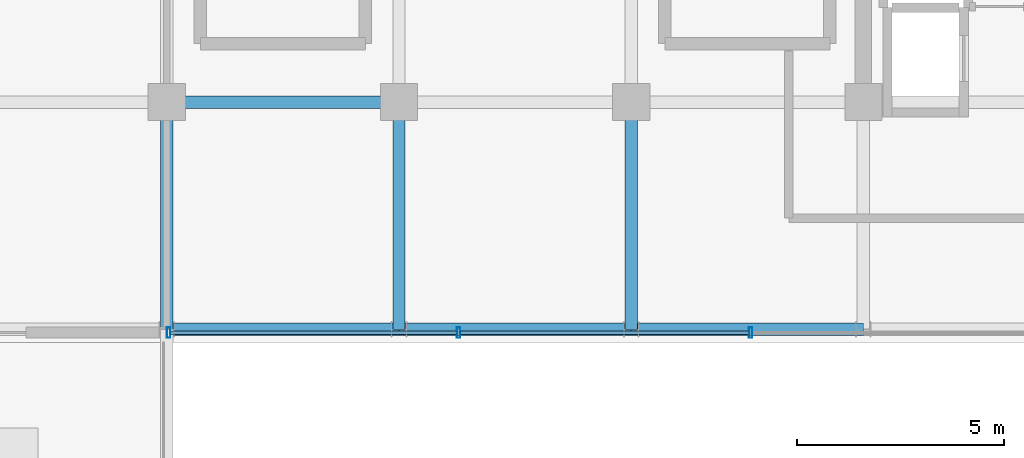
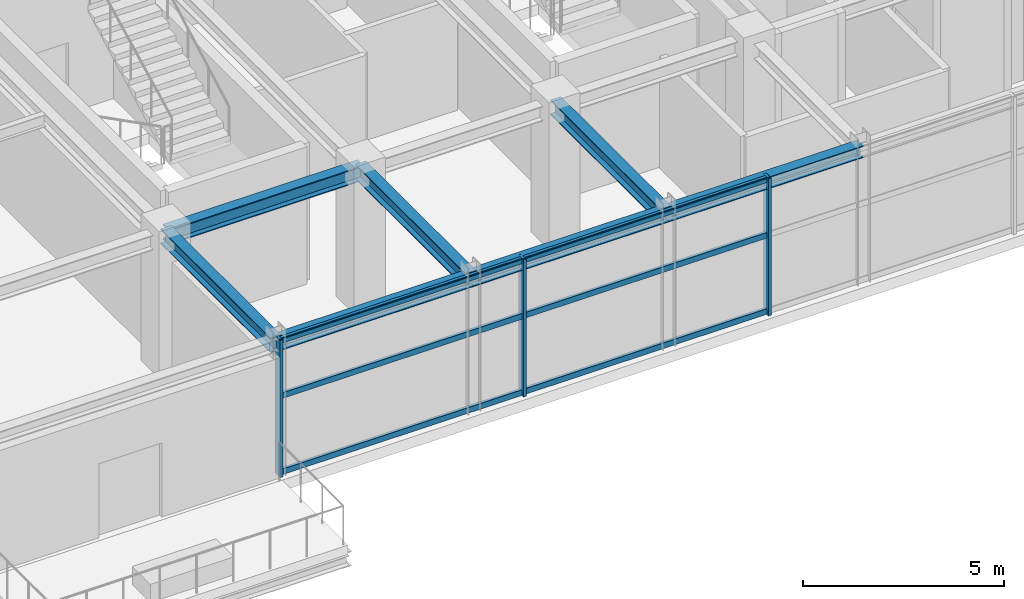
# One storey, part 6 of 25: 9 members, 7 beams, 1 element without a shape of its own.
"""IFC4 building model written with IfcOpenShell, lengths in metres."""

import ifcopenshell
import ifcopenshell.guid

model = None  # the IFC model being written
_history = None  # IfcOwnerHistory: only IFC2X3 demands one
_inside = {}  # id of a spatial element -> (the spatial element, [elements in it])
_under = {}  # id of a project, library or spatial element -> (it, [spatial elements below it])
_declared = {}  # id of a project -> (the project, [libraries it declares])
_typed = {}  # id of a type object -> (the type object, [elements of that type])
_made_of = {}  # id of a material, layer set ... -> (it, [elements and type objects made of it])


def new_model(schema):
    """Start an empty IFC model of exactly this schema.

    Asked for "IFC4X3", IfcOpenShell would pick the latest addendum, in which some entities
    have other attributes; the version numbers below select the first issue.
    IFC2X3 requires an IfcOwnerHistory on every rooted entity: one is made here for all.
    """
    global model, _history
    if schema == "IFC4X3":
        model = ifcopenshell.file(schema_version=(4, 3, 0, 0))
    else:
        model = ifcopenshell.file(schema=schema)
    _inside.clear()
    _under.clear()
    _declared.clear()
    _typed.clear()
    _made_of.clear()
    _history = None
    if model.schema == "IFC2X3":
        org = make("IfcOrganization", Name="unknown")
        user = make(
            "IfcPersonAndOrganization",
            ThePerson=make("IfcPerson", FamilyName="unknown"),
            TheOrganization=org,
        )
        app = make(
            "IfcApplication",
            ApplicationDeveloper=org,
            Version="unknown",
            ApplicationFullName="unknown",
            ApplicationIdentifier="unknown",
        )
        _history = make(
            "IfcOwnerHistory",
            OwningUser=user,
            OwningApplication=app,
            ChangeAction="ADDED",
            CreationDate=0,
        )
    return model


def make(cls, **values):
    """One entity of the class cls with the attributes given. An attribute that is None is left unset."""
    return model.create_entity(
        cls, **{name: value for name, value in values.items() if value is not None}
    )


def rooted(cls, **values):
    """An entity with a GlobalId (a new one), such as an element, a storey or a relation."""
    return make(cls, GlobalId=ifcopenshell.guid.new(), OwnerHistory=_history, **values)


def si_unit(unit_type, name, prefix=None):
    """IfcSIUnit, for example si_unit("LENGTHUNIT", "METRE", prefix="MILLI")."""
    return make("IfcSIUnit", UnitType=unit_type, Prefix=prefix, Name=name)


def assignment(units):
    """IfcUnitAssignment: the units of a project."""
    return None if units is None else make("IfcUnitAssignment", Units=units)


def point(xyz):
    """IfcCartesianPoint."""
    return None if xyz is None else make("IfcCartesianPoint", Coordinates=xyz)


def direction(xyz):
    """IfcDirection."""
    return None if xyz is None else make("IfcDirection", DirectionRatios=xyz)


def frame(location, z_axis=None, x_axis=None):
    """IfcAxis2Placement3D, a coordinate frame: its origin and axes. An axis left out is left unset."""
    return make(
        "IfcAxis2Placement3D",
        Location=point(location),
        Axis=direction(z_axis),
        RefDirection=direction(x_axis),
    )


def frame_2d(location, x_axis=None):
    """IfcAxis2Placement2D, a coordinate frame in the plane: its origin and x axis."""
    return make(
        "IfcAxis2Placement2D", Location=point(location), RefDirection=direction(x_axis)
    )


def origin():
    """The frame at (0, 0, 0) with its axes left unset."""
    return frame((0.0, 0.0, 0.0))


def origin_2d():
    """The frame at (0, 0) in the plane with its x axis left unset."""
    return frame_2d((0.0, 0.0))


def place(relative_to, where):
    """IfcLocalPlacement: puts the frame where relative to a parent placement (None: the world)."""
    return make(
        "IfcLocalPlacement", PlacementRelTo=relative_to, RelativePlacement=where
    )


def context(
    kind, dimensions, precision=None, world=None, true_north=None, identifier=None
):
    """IfcGeometricRepresentationContext, for example the 3D "Model" context."""
    return make(
        "IfcGeometricRepresentationContext",
        ContextIdentifier=identifier,
        ContextType=kind,
        CoordinateSpaceDimension=dimensions,
        Precision=precision,
        WorldCoordinateSystem=world,
        TrueNorth=true_north,
    )


def subcontext(parent, identifier, kind, view, scale=None):
    """IfcGeometricRepresentationSubContext, for example "Body" below "Model"."""
    return make(
        "IfcGeometricRepresentationSubContext",
        ContextIdentifier=identifier,
        ContextType=kind,
        ParentContext=parent,
        TargetScale=scale,
        TargetView=view,
    )


def project(units=None, contexts=None):
    """IfcProject with its units and contexts."""
    return rooted(
        "IfcProject",
        Name="project",
        RepresentationContexts=contexts,
        UnitsInContext=assignment(units),
    )


def spatial(cls, under=None, at=None, **own):
    """A site, building, storey or space (cls), placed at a placement, below another one or the project."""
    s = rooted(cls, ObjectPlacement=at, **own)
    if under is not None:
        _under.setdefault(under.id(), (under, []))[1].append(s)
    return s


def profile(cls, at=None, kind="AREA", **sizes):
    """A parametric profile (cls). Its sizes go by their IFC names, for example OverallWidth=200.0."""
    return make(cls, ProfileType=kind, Position=at, **sizes)


def hollow_rectangle(**sizes):
    """IfcRectangleHollowProfileDef."""
    return profile("IfcRectangleHollowProfileDef", **sizes)


def i_section(**sizes):
    """IfcIShapeProfileDef."""
    return profile("IfcIShapeProfileDef", **sizes)


def extrude(swept, where, along, depth):
    """IfcExtrudedAreaSolid: the profile swept, set in the frame where, extruded along a direction by depth."""
    return make(
        "IfcExtrudedAreaSolid",
        SweptArea=swept,
        Position=where,
        ExtrudedDirection=direction(along),
        Depth=depth,
    )


def shape(context_of_items, identifier, shape_type, items):
    """IfcShapeRepresentation: the items that make up one representation, for example the "Body"."""
    return make(
        "IfcShapeRepresentation",
        ContextOfItems=context_of_items,
        RepresentationIdentifier=identifier,
        RepresentationType=shape_type,
        Items=items,
    )


def source(mapping_origin, context_of_items, identifier, shape_type, items):
    """IfcRepresentationMap: a shape defined once, which mapped items show again and again."""
    return make(
        "IfcRepresentationMap",
        MappingOrigin=mapping_origin,
        MappedRepresentation=shape(context_of_items, identifier, shape_type, items),
    )


def transform(
    local_origin,
    x_axis=None,
    y_axis=None,
    z_axis=None,
    scale=None,
    scale2=None,
    scale3=None,
    uniform=True,
):
    """IfcCartesianTransformationOperator3D, or its non-uniform kind. x_axis, y_axis, z_axis: its Axis1, 2, 3."""
    if uniform:
        return make(
            "IfcCartesianTransformationOperator3D",
            Axis1=direction(x_axis),
            Axis2=direction(y_axis),
            LocalOrigin=point(local_origin),
            Scale=scale,
            Axis3=direction(z_axis),
        )
    return make(
        "IfcCartesianTransformationOperator3DnonUniform",
        Axis1=direction(x_axis),
        Axis2=direction(y_axis),
        LocalOrigin=point(local_origin),
        Scale=scale,
        Axis3=direction(z_axis),
        Scale2=scale2,
        Scale3=scale3,
    )


def mapped(mapping_source, mapping_target):
    """IfcMappedItem: shows the shape of a source again, moved by a transform."""
    return make(
        "IfcMappedItem", MappingSource=mapping_source, MappingTarget=mapping_target
    )


def material(Name=None, Category=None):
    """IfcMaterial."""
    return make("IfcMaterial", Name=Name, Category=Category)


def material_profile(
    of_material, cross_section, Name=None, Category=None, Priority=None
):
    """IfcMaterialProfile: a cross section and its material."""
    return make(
        "IfcMaterialProfile",
        Name=Name,
        Material=of_material,
        Profile=cross_section,
        Priority=Priority,
        Category=Category,
    )


def profile_set(profiles, Name=None, composite=None):
    """IfcMaterialProfileSet."""
    return make(
        "IfcMaterialProfileSet",
        Name=Name,
        MaterialProfiles=profiles,
        CompositeProfile=composite,
    )


def made_of(thing, what):
    """Note that an element or type object is made of a material, layer set ...; save() writes the relation."""
    if what is not None:
        _made_of.setdefault(what.id(), (what, []))[1].append(thing)
    return thing


def type_object(cls, material=None, **own):
    """A type object (cls), such as IfcWallType, which elements share."""
    return made_of(rooted(cls, **own), material)


def element(
    cls,
    number,
    at=None,
    inside=None,
    cuts=None,
    type_object=None,
    material=None,
    context=None,
    identifier="Body",
    shape_type=None,
    held_by="IfcProductDefinitionShape",
    body=None,
    shapes=None,
    **own,
):
    """One element of the class cls, such as IfcWall. Its Tag is "e" and its number.

    at: its placement. inside: the storey or other place that contains it. cuts: it is an
    opening in that element (IfcRelVoidsElement). A single representation is given by context,
    identifier, shape_type and body (its items); several are given by shapes. held_by: the class
    of the entity that holds the representations. save() writes the other relations.
    """
    e = rooted(cls, Tag="e%d" % number, ObjectPlacement=at, **own)
    if body is not None:
        shapes = [shape(context, identifier, shape_type, body)]
    if shapes is not None:
        e.Representation = make(held_by, Representations=shapes)
    if inside is not None:
        _inside.setdefault(inside.id(), (inside, []))[1].append(e)
    if cuts is not None:
        rooted(
            "IfcRelVoidsElement", RelatingBuildingElement=cuts, RelatedOpeningElement=e
        )
    if type_object is not None:
        _typed.setdefault(type_object.id(), (type_object, []))[1].append(e)
    return made_of(e, material)


def aggregate(whole, parts):
    """IfcRelAggregates: a whole, such as a stair, and the parts it consists of."""
    return rooted("IfcRelAggregates", RelatingObject=whole, RelatedObjects=parts)


def save(model, path):
    """Write the relations noted so far, then the file.

    IfcRelAggregates (storeys below a building ...), IfcRelContainedInSpatialStructure (elements
    in a storey), IfcRelDefinesByType, IfcRelAssociatesMaterial and IfcRelDeclares: one each for
    every whole, place, type object, material and project.
    """
    for whole, parts in _under.values():
        aggregate(whole, parts)
    for where, things in _inside.values():
        rooted(
            "IfcRelContainedInSpatialStructure",
            RelatedElements=things,
            RelatingStructure=where,
        )
    for kind, things in _typed.values():
        rooted("IfcRelDefinesByType", RelatedObjects=things, RelatingType=kind)
    for what, things in _made_of.values():
        rooted("IfcRelAssociatesMaterial", RelatedObjects=things, RelatingMaterial=what)
    for by, libraries in _declared.values():
        rooted("IfcRelDeclares", RelatingContext=by, RelatedDefinitions=libraries)
    model.write(path)


model = new_model("IFC4")

# Units and contexts
model_context = context("Model", 3, precision=1e-05, world=origin(), true_north=direction((0.0, 1.0)))
body_context = subcontext(model_context, "Body", "Model", "MODEL_VIEW")
ifc_project = project(units=[si_unit("LENGTHUNIT", "METRE"), si_unit("AREAUNIT", "SQUARE_METRE"), si_unit("VOLUMEUNIT", "CUBIC_METRE"), si_unit("PLANEANGLEUNIT", "RADIAN"), si_unit("MASSUNIT", "GRAM", prefix="KILO")], contexts=[model_context])

# Site, building, storey
site_placement = place(None, origin())
site = spatial("IfcSite", under=ifc_project, at=site_placement, CompositionType="ELEMENT")
building_placement = place(site_placement, origin())
building = spatial("IfcBuilding", under=site, at=building_placement, Name="Nahalor Promenade Grand Hotel", CompositionType="ELEMENT")
storey_placement = place(building_placement, frame((0.0, 0.0, 338.550048828125)))
storey = spatial("IfcBuildingStorey", under=building, at=storey_placement, Name="L87", CompositionType="ELEMENT", Elevation=338.550048828125)

# Beams
ifc_material_1 = material(Name="Steel S355JR", Category="steel")
ifc_material_profile_1 = material_profile(ifc_material_1, i_section(OverallWidth=0.3, OverallDepth=0.45, WebThickness=0.014, FlangeThickness=0.026, at=origin_2d()), Name="HEB 450")
ifc_profile_set_1 = profile_set([ifc_material_profile_1], Name="Steel S355JR")
beam_type_1 = type_object("IfcBeamType", Name="Beam-Girder-HEB450", PredefinedType="BEAM", material=ifc_profile_set_1)
shared_shape_1 = source(origin(), body_context, "Body", "SweptSolid", [
    extrude(i_section(OverallWidth=0.3, OverallDepth=0.45, WebThickness=0.014, FlangeThickness=0.026, at=origin_2d()), origin(), (0.0, 0.0, 1.0), 5.599853515625),
])
beam_1_placement = place(storey_placement, frame((-8.39990234375, -17.0, 3.945068359375), z_axis=(1.0, 0.0, 0.0), x_axis=(0.0, 1.0, 0.0)))
element("IfcBeam", 1, at=beam_1_placement, inside=storey, type_object=beam_type_1, Name="BM-L87-GX-0-2", PredefinedType="BEAM", context=body_context, shape_type="MappedRepresentation", body=[
    mapped(shared_shape_1, transform((0.0, 0.0, 0.0), scale=1.0)),
])
shared_shape_2 = source(origin(), body_context, "Body", "SweptSolid", [
    extrude(i_section(OverallWidth=0.3, OverallDepth=0.45, WebThickness=0.014, FlangeThickness=0.026, at=origin_2d()), origin(), (0.0, 0.0, 1.0), 5.47998046875),
])
for number, where, z_axis, x_axis, name in (
    (2, (-8.39990234375, -22.47998046875, 3.945068359375), (0.0, 1.0, 0.0), (-1.0, 0.0, 0.0), "BM-L87-GY-1-0"),
    (3, (-2.800048828125, -22.47998046875, 3.945068359375), (0.0, 1.0, 0.0), (-1.0, 0.0, 0.0), "BM-L87-GY-2-0"),
    (4, (2.800048828125, -22.47998046875, 3.945068359375), (0.0, 1.0, 0.0), (-1.0, 0.0, 0.0), "BM-L87-GY-3-0"),
):
    element("IfcBeam", number, at=place(storey_placement, frame(where, z_axis=z_axis, x_axis=x_axis)), inside=storey, type_object=beam_type_1, Name=name, PredefinedType="BEAM", context=body_context, shape_type="MappedRepresentation", body=[
        mapped(shared_shape_2, transform((0.0, 0.0, 0.0), scale=1.0)),
    ])
ifc_material_profile_2 = material_profile(ifc_material_1, i_section(OverallWidth=0.3, OverallDepth=0.36, WebThickness=0.0125, FlangeThickness=0.0225, at=origin_2d()), Name="HEB 360")
ifc_profile_set_2 = profile_set([ifc_material_profile_2], Name="Steel S355JR")
beam_type_2 = type_object("IfcBeamType", Name="Beam-Spandrel-HEB360", PredefinedType="SPANDREL", material=ifc_profile_set_2)
shared_shape_3 = source(origin(), body_context, "Body", "SweptSolid", [
    extrude(i_section(OverallWidth=0.3, OverallDepth=0.36, WebThickness=0.0125, FlangeThickness=0.0225, at=origin_2d()), origin(), (0.0, 0.0, 1.0), 5.599853515625),
])
for number, where, z_axis, x_axis, name in (
    (5, (-8.39990234375, -22.47998046875, 3.989990234375), (1.0, 0.0, 0.0), (0.0, 1.0, 0.0), "BM-L87-SP-S-1"),
    (6, (2.800048828125, -22.47998046875, 3.989990234375), (1.0, 0.0, 0.0), (0.0, 1.0, 0.0), "BM-L87-SP-S-3"),
):
    element("IfcBeam", number, at=place(storey_placement, frame(where, z_axis=z_axis, x_axis=x_axis)), inside=storey, type_object=beam_type_2, Name=name, PredefinedType="SPANDREL", context=body_context, shape_type="MappedRepresentation", body=[
        mapped(shared_shape_3, transform((0.0, 0.0, 0.0), scale=1.0)),
    ])
shared_shape_4 = source(origin(), body_context, "Body", "SweptSolid", [
    extrude(i_section(OverallWidth=0.3, OverallDepth=0.36, WebThickness=0.0125, FlangeThickness=0.0225, at=origin_2d()), origin(), (0.0, 0.0, 1.0), 5.60009765625),
])
beam_2_placement = place(storey_placement, frame((-2.800048828125, -22.47998046875, 3.989990234375), z_axis=(1.0, 0.0, 0.0), x_axis=(0.0, 1.0, 0.0)))
element("IfcBeam", 7, at=beam_2_placement, inside=storey, type_object=beam_type_2, Name="BM-L87-SP-S-2", PredefinedType="SPANDREL", context=body_context, shape_type="MappedRepresentation", body=[
    mapped(shared_shape_4, transform((0.0, 0.0, 0.0), scale=1.0)),
])

# Curtain wall, members
ifc_material_2 = material(Name="Anodised Bronze Aluminium EN AW-6063 T6", Category="aluminium")
curtain_wall_type = type_object("IfcCurtainWallType", Name="CW5 Sky-Lobby & Observation Panoramic Curtain Wall", PredefinedType="USERDEFINED", material=ifc_material_2)
curtain_wall_placement = place(storey_placement, origin())
curtain_wall = element("IfcCurtainWall", 8, at=curtain_wall_placement, inside=storey, type_object=curtain_wall_type, Name="L87 Curtain Wall CW-L87-S-3", ObjectType="UNITISED_CURTAIN_WALL", PredefinedType="USERDEFINED")
ifc_material_profile_3 = material_profile(ifc_material_2, hollow_rectangle(XDim=0.085, YDim=0.25, WallThickness=0.006, at=origin_2d()), Name="CWM 85x250x6")
ifc_profile_set_3 = profile_set([ifc_material_profile_3], Name="Anodised Bronze Aluminium EN AW-6063 T6")
member_type_1 = type_object("IfcMemberType", Name="CWM5 Panoramic Deep Mullion 85x250", PredefinedType="MULLION", material=ifc_profile_set_3)
shared_shape_5 = source(origin(), body_context, "Body", "SweptSolid", [
    extrude(hollow_rectangle(XDim=0.085, YDim=0.25, WallThickness=0.006, at=origin_2d()), origin(), (0.0, 0.0, 1.0), 4.169921875),
])
member_1_placement = place(storey_placement, frame((-8.357421875, -22.56005859375, 0.0), z_axis=(0.0, 0.0, 1.0), x_axis=(1.0, 0.0, 0.0)))
member_1 = element("IfcMember", 9, at=member_1_placement, type_object=member_type_1, Name="CW-L87-S-3 Mullion 0", PredefinedType="MULLION", context=body_context, shape_type="MappedRepresentation", body=[
    mapped(shared_shape_5, transform((0.0, 0.0, 0.0), scale=1.0)),
])
member_2_placement = place(storey_placement, frame((-1.360107421875, -22.56005859375, 0.0), z_axis=(0.0, 0.0, 1.0), x_axis=(1.0, 0.0, 0.0)))
member_2 = element("IfcMember", 10, at=member_2_placement, type_object=member_type_1, Name="CW-L87-S-3 Mullion 1", PredefinedType="MULLION", context=body_context, shape_type="MappedRepresentation", body=[
    mapped(shared_shape_5, transform((0.0, 0.0, 0.0), scale=1.0)),
])
member_3_placement = place(storey_placement, frame((5.679931640625, -22.56005859375, 0.0), z_axis=(0.0, 0.0, 1.0), x_axis=(1.0, 0.0, 0.0)))
member_3 = element("IfcMember", 11, at=member_3_placement, type_object=member_type_1, Name="CW-L87-S-3 Mullion 2", PredefinedType="MULLION", context=body_context, shape_type="MappedRepresentation", body=[
    mapped(shared_shape_5, transform((0.0, 0.0, 0.0), scale=1.0)),
])
ifc_material_profile_4 = material_profile(ifc_material_2, hollow_rectangle(XDim=0.085, YDim=0.17, WallThickness=0.005, at=origin_2d()), Name="CWT 85x170x5")
ifc_profile_set_4 = profile_set([ifc_material_profile_4], Name="Anodised Bronze Aluminium EN AW-6063 T6")
member_type_2 = type_object("IfcMemberType", Name="CWT5 Panoramic Transom 85x170", PredefinedType="USERDEFINED", material=ifc_profile_set_4)
shared_shape_6 = source(origin(), body_context, "Body", "SweptSolid", [
    extrude(hollow_rectangle(XDim=0.085, YDim=0.17, WallThickness=0.005, at=origin_2d()), origin(), (0.0, 0.0, 1.0), 6.912353515625),
])
member_4_placement = place(storey_placement, frame((-8.31494140625, -22.56005859375, 0.0849609375), z_axis=(1.0, 0.0, 0.0), x_axis=(0.0, 1.0, 0.0)))
member_4 = element("IfcMember", 12, at=member_4_placement, type_object=member_type_2, Name="CW-L87-S-3 Transom 0-0", ObjectType="TRANSOM", PredefinedType="USERDEFINED", context=body_context, shape_type="MappedRepresentation", body=[
    mapped(shared_shape_6, transform((0.0, 0.0, 0.0), scale=1.0)),
])
member_5_placement = place(storey_placement, frame((-8.31494140625, -22.56005859375, 2.39990234375), z_axis=(1.0, 0.0, 0.0), x_axis=(0.0, 1.0, 0.0)))
member_5 = element("IfcMember", 13, at=member_5_placement, type_object=member_type_2, Name="CW-L87-S-3 Transom 0-1", ObjectType="TRANSOM", PredefinedType="USERDEFINED", context=body_context, shape_type="MappedRepresentation", body=[
    mapped(shared_shape_6, transform((0.0, 0.0, 0.0), scale=1.0)),
])
member_6_placement = place(storey_placement, frame((-8.31494140625, -22.56005859375, 4.0849609375), z_axis=(1.0, 0.0, 0.0), x_axis=(0.0, 1.0, 0.0)))
member_6 = element("IfcMember", 14, at=member_6_placement, type_object=member_type_2, Name="CW-L87-S-3 Transom 0-2", ObjectType="TRANSOM", PredefinedType="USERDEFINED", context=body_context, shape_type="MappedRepresentation", body=[
    mapped(shared_shape_6, transform((0.0, 0.0, 0.0), scale=1.0)),
])
shared_shape_7 = source(origin(), body_context, "Body", "SweptSolid", [
    extrude(hollow_rectangle(XDim=0.085, YDim=0.17, WallThickness=0.005, at=origin_2d()), origin(), (0.0, 0.0, 1.0), 6.954833984375),
])
member_7_placement = place(storey_placement, frame((-1.3173828125, -22.56005859375, 0.0849609375), z_axis=(1.0, 0.0, 0.0), x_axis=(0.0, 1.0, 0.0)))
member_7 = element("IfcMember", 15, at=member_7_placement, type_object=member_type_2, Name="CW-L87-S-3 Transom 1-0", ObjectType="TRANSOM", PredefinedType="USERDEFINED", context=body_context, shape_type="MappedRepresentation", body=[
    mapped(shared_shape_7, transform((0.0, 0.0, 0.0), scale=1.0)),
])
member_8_placement = place(storey_placement, frame((-1.3173828125, -22.56005859375, 2.39990234375), z_axis=(1.0, 0.0, 0.0), x_axis=(0.0, 1.0, 0.0)))
member_8 = element("IfcMember", 16, at=member_8_placement, type_object=member_type_2, Name="CW-L87-S-3 Transom 1-1", ObjectType="TRANSOM", PredefinedType="USERDEFINED", context=body_context, shape_type="MappedRepresentation", body=[
    mapped(shared_shape_7, transform((0.0, 0.0, 0.0), scale=1.0)),
])
member_9_placement = place(storey_placement, frame((-1.3173828125, -22.56005859375, 4.0849609375), z_axis=(1.0, 0.0, 0.0), x_axis=(0.0, 1.0, 0.0)))
member_9 = element("IfcMember", 17, at=member_9_placement, type_object=member_type_2, Name="CW-L87-S-3 Transom 1-2", ObjectType="TRANSOM", PredefinedType="USERDEFINED", context=body_context, shape_type="MappedRepresentation", body=[
    mapped(shared_shape_7, transform((0.0, 0.0, 0.0), scale=1.0)),
])
aggregate(curtain_wall, [member_1, member_2, member_3, member_4, member_5, member_6, member_7, member_8, member_9])

save(model, "model.ifc")
